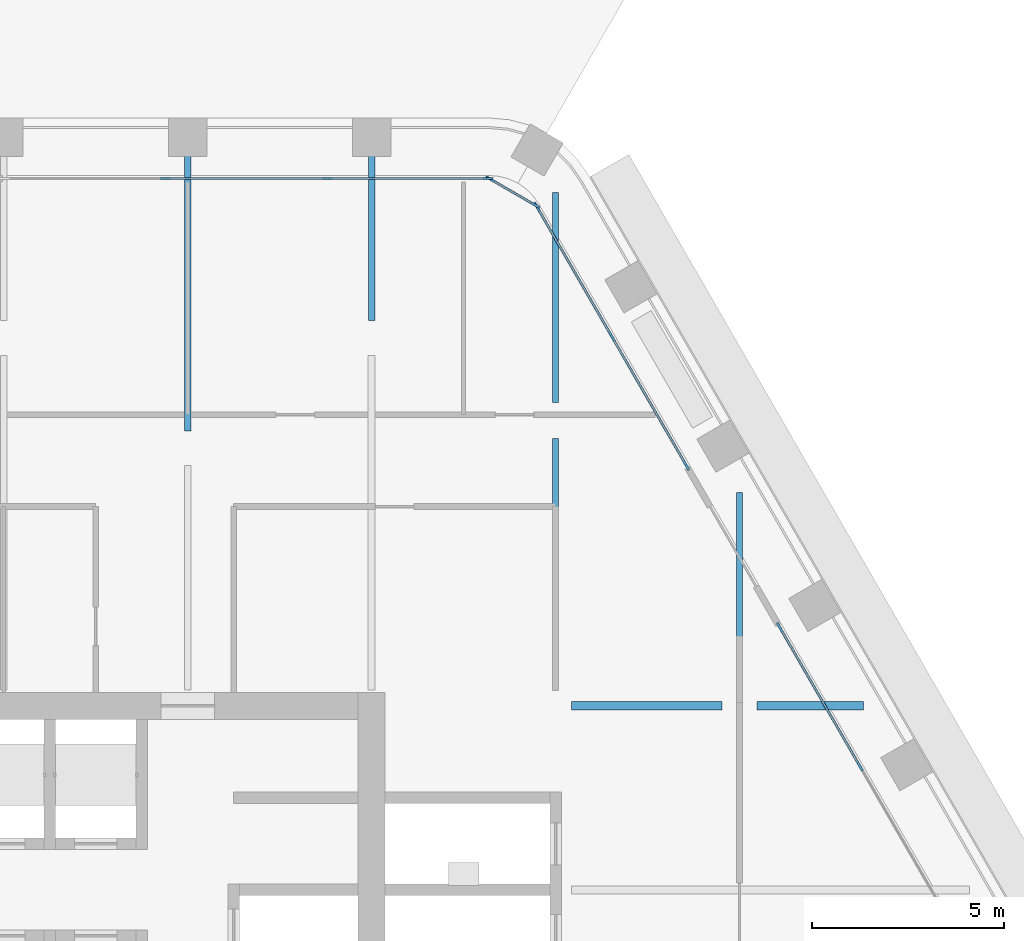
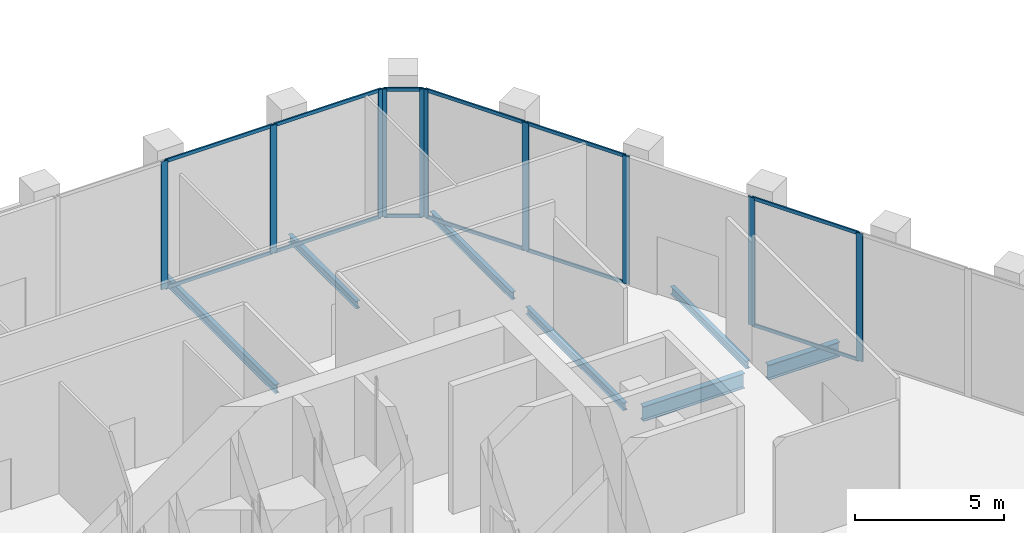
# One storey, part 5 of 42: 22 members, 7 beams, 4 elements without a shape of their own.
"""IFC4 building model written with IfcOpenShell, lengths in metres."""

from ifc_helpers import new_model, si_unit, direction, frame, origin, origin_2d, place, context, subcontext, project, spatial, rectangle, i_section, extrude, material, material_profile, profile_set, type_object, element, aggregate, save


model = new_model("IFC4")

# Units and contexts
model_context = context("Model", 3, precision=1e-05, world=origin(), true_north=direction((0.0, 1.0)))
body_context = subcontext(model_context, "Body", "Model", "MODEL_VIEW")
ifc_project = project(units=[si_unit("LENGTHUNIT", "METRE"), si_unit("AREAUNIT", "SQUARE_METRE"), si_unit("VOLUMEUNIT", "CUBIC_METRE"), si_unit("PLANEANGLEUNIT", "RADIAN"), si_unit("MASSUNIT", "GRAM", prefix="KILO")], contexts=[model_context])

# Site, building, storey
site_placement = place(None, origin())
site = spatial("IfcSite", under=ifc_project, at=site_placement, CompositionType="ELEMENT")
building_placement = place(site_placement, origin())
building = spatial("IfcBuilding", under=site, at=building_placement, Name="Kolab Exchange Tower", CompositionType="ELEMENT")
storey_placement = place(building_placement, frame((0.0, 0.0, 133.39990234375)))
storey = spatial("IfcBuildingStorey", under=building, at=storey_placement, Name="L26", CompositionType="ELEMENT", Elevation=133.39990234375)

# Beams
ifc_material_1 = material(Name="Steel S355", Category="steel")
ifc_material_profile_1 = material_profile(ifc_material_1, i_section(OverallWidth=0.1650390625, OverallDepth=0.31005859375, WebThickness=0.005859375, FlangeThickness=0.009765625, at=origin_2d()), Name="W310X39")
ifc_profile_set_1 = profile_set([ifc_material_profile_1], Name="Steel S355")
beam_type_1 = type_object("IfcBeamType", Name="FLOOR BEAM W310X39", PredefinedType="BEAM", material=ifc_profile_set_1)
beam_1_placement = place(storey_placement, frame((9.60009765625, 19.659912109375, -0.304931640625), z_axis=(0.0, 1.0, 0.0), x_axis=(-1.0, 0.0, 0.0)))
element("IfcBeam", 1, at=beam_1_placement, inside=storey, type_object=beam_type_1, Name="beam/L26/fr/027", PredefinedType="BEAM", context=body_context, shape_type="SweptSolid", body=[
    extrude(i_section(OverallWidth=0.1650390625, OverallDepth=0.31005859375, WebThickness=0.005859375, FlangeThickness=0.009765625, at=origin_2d()), origin(), (0.0, 0.0, 1.0), 4.57080078125),
])
beam_2_placement = place(storey_placement, frame((14.39990234375, 10.010009765625, -0.304931640625), z_axis=(0.0, 1.0, 0.0), x_axis=(-1.0, 0.0, 0.0)))
element("IfcBeam", 2, at=beam_2_placement, inside=storey, type_object=beam_type_1, Name="beam/L26/fr/030", PredefinedType="BEAM", context=body_context, shape_type="SweptSolid", body=[
    extrude(i_section(OverallWidth=0.1650390625, OverallDepth=0.31005859375, WebThickness=0.005859375, FlangeThickness=0.009765625, at=origin_2d()), origin(), (0.0, 0.0, 1.0), 6.563232421875),
])
beam_3_placement = place(storey_placement, frame((14.39990234375, 17.51220703125, -0.304931640625), z_axis=(0.0, 1.0, 0.0), x_axis=(-1.0, 0.0, 0.0)))
element("IfcBeam", 3, at=beam_3_placement, inside=storey, type_object=beam_type_1, Name="beam/L26/fr/031", PredefinedType="BEAM", context=body_context, shape_type="SweptSolid", body=[
    extrude(i_section(OverallWidth=0.1650390625, OverallDepth=0.31005859375, WebThickness=0.005859375, FlangeThickness=0.009765625, at=origin_2d()), origin(), (0.0, 0.0, 1.0), 5.4892578125),
])
beam_4_placement = place(storey_placement, frame((19.199951171875, 10.06005859375, -0.304931640625), z_axis=(0.0, 1.0, 0.0), x_axis=(-1.0, 0.0, 0.0)))
element("IfcBeam", 4, at=beam_4_placement, inside=storey, type_object=beam_type_1, Name="beam/L26/fr/036", PredefinedType="BEAM", context=body_context, shape_type="SweptSolid", body=[
    extrude(i_section(OverallWidth=0.1650390625, OverallDepth=0.31005859375, WebThickness=0.005859375, FlangeThickness=0.009765625, at=origin_2d()), origin(), (0.0, 0.0, 1.0), 5.107666015625),
])
ifc_material_profile_2 = material_profile(ifc_material_1, i_section(OverallWidth=0.1708984375, OverallDepth=0.35498046875, WebThickness=0.007080078125, FlangeThickness=0.01171875, at=origin_2d()), Name="W360X51")
ifc_profile_set_2 = profile_set([ifc_material_profile_2], Name="Steel S355")
beam_type_2 = type_object("IfcBeamType", Name="FLOOR BEAM W360X51", PredefinedType="BEAM", material=ifc_profile_set_2)
beam_5_placement = place(storey_placement, frame((4.800048828125, 16.77880859375, -0.327392578125), z_axis=(0.0, 1.0, 0.0), x_axis=(-1.0, 0.0, 0.0)))
element("IfcBeam", 5, at=beam_5_placement, inside=storey, type_object=beam_type_2, Name="beam/L26/fr/023", PredefinedType="BEAM", context=body_context, shape_type="SweptSolid", body=[
    extrude(i_section(OverallWidth=0.1708984375, OverallDepth=0.35498046875, WebThickness=0.007080078125, FlangeThickness=0.01171875, at=origin_2d()), origin(), (0.0, 0.0, 1.0), 7.45263671875),
])
ifc_material_profile_3 = material_profile(ifc_material_1, i_section(OverallWidth=0.22802734375, OverallDepth=0.60791015625, WebThickness=0.01123046875, FlangeThickness=0.017333984375, at=origin_2d()), Name="W610X113")
ifc_profile_set_3 = profile_set([ifc_material_profile_3], Name="Steel S355")
beam_type_3 = type_object("IfcBeamType", Name="FLOOR GIRDER W610X113", PredefinedType="BEAM", material=ifc_profile_set_3)
beam_6_placement = place(storey_placement, frame((14.81005859375, 9.60009765625, -0.453857421875), z_axis=(1.0, 0.0, 0.0), x_axis=(0.0, 1.0, 0.0)))
element("IfcBeam", 6, at=beam_6_placement, inside=storey, type_object=beam_type_3, Name="beam/L26/gd/005", PredefinedType="BEAM", context=body_context, shape_type="SweptSolid", body=[
    extrude(i_section(OverallWidth=0.22802734375, OverallDepth=0.60791015625, WebThickness=0.01123046875, FlangeThickness=0.017333984375, at=origin_2d()), origin(), (0.0, 0.0, 1.0), 3.929931640625),
])
beam_7_placement = place(storey_placement, frame((19.659912109375, 9.60009765625, -0.453857421875), z_axis=(1.0, 0.0, 0.0), x_axis=(0.0, 1.0, 0.0)))
element("IfcBeam", 7, at=beam_7_placement, inside=storey, type_object=beam_type_3, Name="beam/L26/gd/007", PredefinedType="BEAM", context=body_context, shape_type="SweptSolid", body=[
    extrude(i_section(OverallWidth=0.22802734375, OverallDepth=0.60791015625, WebThickness=0.01123046875, FlangeThickness=0.017333984375, at=origin_2d()), origin(), (0.0, 0.0, 1.0), 2.771484375),
])

# Curtain wall, members
ifc_material_2 = material(Name="Aluminium EN AW-6063 T6", Category="aluminium")
curtain_wall_type = type_object("IfcCurtainWallType", Name="UNITISED UPPER MID ZONE DOUBLE HEIGHT CURTAIN WALL", PredefinedType="NOTDEFINED", material=ifc_material_2)
curtain_wall_1_placement = place(storey_placement, origin())
curtain_wall_1 = element("IfcCurtainWall", 8, at=curtain_wall_1_placement, inside=storey, type_object=curtain_wall_type, Name="cw/L26/F1-2", PredefinedType="NOTDEFINED")
ifc_material_profile_4 = material_profile(ifc_material_2, rectangle(XDim=0.06005859375, YDim=0.260009765625, at=origin_2d()), Name="RECT 60X260")
ifc_profile_set_4 = profile_set([ifc_material_profile_4], Name="Aluminium EN AW-6063 T6")
member_type_1 = type_object("IfcMemberType", Name="UNITISED UPPER MID ZONE DOUBLE HEIGHT MULLION 60 X 260", PredefinedType="MULLION", material=ifc_profile_set_4)
member_1_placement = place(storey_placement, frame((4.22265625, 23.361572265625, 0.0), z_axis=(0.0, 0.0, 1.0), x_axis=(0.0, 1.0, 0.0)))
member_1 = element("IfcMember", 9, at=member_1_placement, type_object=member_type_1, Name="CW8 mullion 2", PredefinedType="MULLION", context=body_context, shape_type="SweptSolid", body=[
    extrude(rectangle(XDim=0.06005859375, YDim=0.260009765625, at=origin_2d()), origin(), (0.0, 0.0, 1.0), 5.25),
])
member_2_placement = place(storey_placement, frame((8.4453125, 23.361572265625, 0.0), z_axis=(0.0, 0.0, 1.0), x_axis=(0.0, 1.0, 0.0)))
member_2 = element("IfcMember", 10, at=member_2_placement, type_object=member_type_1, Name="CW8 mullion 3", PredefinedType="MULLION", context=body_context, shape_type="SweptSolid", body=[
    extrude(rectangle(XDim=0.06005859375, YDim=0.260009765625, at=origin_2d()), origin(), (0.0, 0.0, 1.0), 5.25),
])
member_3_placement = place(storey_placement, frame((12.637939453125, 23.361572265625, 0.0), z_axis=(0.0, 0.0, 1.0), x_axis=(0.0, 1.0, 0.0)))
member_3 = element("IfcMember", 11, at=member_3_placement, type_object=member_type_1, Name="CW8 mullion 4", PredefinedType="MULLION", context=body_context, shape_type="SweptSolid", body=[
    extrude(rectangle(XDim=0.06005859375, YDim=0.260009765625, at=origin_2d()), origin(), (0.0, 0.0, 1.0), 5.25),
])

curtain_wall_2_placement = place(storey_placement, origin())
curtain_wall_2 = element("IfcCurtainWall", 12, at=curtain_wall_2_placement, inside=storey, type_object=curtain_wall_type, Name="cw/L26/F2-1", PredefinedType="NOTDEFINED")
member_4_placement = place(storey_placement, frame((13.91259765625, 22.62548828125, 0.0), z_axis=(0.0, 0.0, 1.0), x_axis=(0.866025385493, 0.500000031681, 0.0)))
member_4 = element("IfcMember", 13, at=member_4_placement, type_object=member_type_1, Name="CW8 mullion 1", PredefinedType="MULLION", context=body_context, shape_type="SweptSolid", body=[
    extrude(rectangle(XDim=0.06005859375, YDim=0.260009765625, at=origin_2d()), origin(), (0.0, 0.0, 1.0), 5.25),
])
member_5_placement = place(storey_placement, frame((15.86474609375, 19.24462890625, 0.0), z_axis=(0.0, 0.0, 1.0), x_axis=(0.866025385493, 0.500000031681, 0.0)))
member_5 = element("IfcMember", 14, at=member_5_placement, type_object=member_type_1, Name="CW8 mullion 2", PredefinedType="MULLION", context=body_context, shape_type="SweptSolid", body=[
    extrude(rectangle(XDim=0.06005859375, YDim=0.260009765625, at=origin_2d()), origin(), (0.0, 0.0, 1.0), 5.25),
])
member_6_placement = place(storey_placement, frame((17.816650390625, 15.86376953125, 0.0), z_axis=(0.0, 0.0, 1.0), x_axis=(0.866025385493, 0.500000031681, 0.0)))
member_6 = element("IfcMember", 15, at=member_6_placement, type_object=member_type_1, Name="CW8 mullion 3", PredefinedType="MULLION", context=body_context, shape_type="SweptSolid", body=[
    extrude(rectangle(XDim=0.06005859375, YDim=0.260009765625, at=origin_2d()), origin(), (0.0, 0.0, 1.0), 5.25),
])

curtain_wall_3_placement = place(storey_placement, origin())
curtain_wall_3 = element("IfcCurtainWall", 16, at=curtain_wall_3_placement, inside=storey, type_object=curtain_wall_type, Name="cw/L26/F2-2", PredefinedType="NOTDEFINED")
member_7_placement = place(storey_placement, frame((20.24658203125, 11.65478515625, 0.0), z_axis=(0.0, 0.0, 1.0), x_axis=(0.866025427826, 0.499999958358, 0.0)))
member_7 = element("IfcMember", 17, at=member_7_placement, type_object=member_type_1, Name="CW8 mullion 1", PredefinedType="MULLION", context=body_context, shape_type="SweptSolid", body=[
    extrude(rectangle(XDim=0.06005859375, YDim=0.260009765625, at=origin_2d()), origin(), (0.0, 0.0, 1.0), 5.25),
])
member_8_placement = place(storey_placement, frame((22.343017578125, 8.02392578125, 0.0), z_axis=(0.0, 0.0, 1.0), x_axis=(0.866025427826, 0.499999958358, 0.0)))
member_8 = element("IfcMember", 18, at=member_8_placement, type_object=member_type_1, Name="CW8 mullion 2", PredefinedType="MULLION", context=body_context, shape_type="SweptSolid", body=[
    extrude(rectangle(XDim=0.06005859375, YDim=0.260009765625, at=origin_2d()), origin(), (0.0, 0.0, 1.0), 5.25),
])

curtain_wall_4_placement = place(storey_placement, origin())
curtain_wall_4 = element("IfcCurtainWall", 19, at=curtain_wall_4_placement, inside=storey, type_object=curtain_wall_type, Name="cw/L26/F1F2-corner", PredefinedType="NOTDEFINED")
member_9_placement = place(storey_placement, frame((12.69384765625, 23.346435546875, 0.0), z_axis=(0.0, 0.0, 1.0), x_axis=(0.50000002237, 0.866025390869, 0.0)))
member_9 = element("IfcMember", 20, at=member_9_placement, type_object=member_type_1, Name="CW8 mullion 1", PredefinedType="MULLION", context=body_context, shape_type="SweptSolid", body=[
    extrude(rectangle(XDim=0.06005859375, YDim=0.260009765625, at=origin_2d()), origin(), (0.0, 0.0, 1.0), 5.25),
])
member_10_placement = place(storey_placement, frame((13.871826171875, 22.66650390625, 0.0), z_axis=(0.0, 0.0, 1.0), x_axis=(0.50000002237, 0.866025390869, 0.0)))
member_10 = element("IfcMember", 21, at=member_10_placement, type_object=member_type_1, Name="CW8 mullion 2", PredefinedType="MULLION", context=body_context, shape_type="SweptSolid", body=[
    extrude(rectangle(XDim=0.06005859375, YDim=0.260009765625, at=origin_2d()), origin(), (0.0, 0.0, 1.0), 5.25),
])

# Member
ifc_material_profile_5 = material_profile(ifc_material_2, rectangle(XDim=0.06005859375, YDim=0.139892578125, at=origin_2d()), Name="RECT 60X140")
ifc_profile_set_5 = profile_set([ifc_material_profile_5], Name="Aluminium EN AW-6063 T6")
member_type_2 = type_object("IfcMemberType", Name="UNITISED UPPER MID ZONE DOUBLE HEIGHT TRANSOM 60 X 140", PredefinedType="USERDEFINED", material=ifc_profile_set_5)
member_11_placement = place(storey_placement, frame((4.252685546875, 23.361572265625, 0.030029296875), z_axis=(1.0, 0.0, 0.0), x_axis=(0.0, 1.0, 0.0)))
member_11 = element("IfcMember", 22, at=member_11_placement, type_object=member_type_2, Name="CW8 transom 2.1", ObjectType="TRANSOM", PredefinedType="USERDEFINED", context=body_context, shape_type="SweptSolid", body=[
    extrude(rectangle(XDim=0.06005859375, YDim=0.139892578125, at=origin_2d()), origin(), (0.0, 0.0, 1.0), 4.16259765625),
])

member_12_placement = place(storey_placement, frame((4.252685546875, 23.361572265625, 5.22021484375), z_axis=(1.0, 0.0, 0.0), x_axis=(0.0, 1.0, 0.0)))
member_12 = element("IfcMember", 23, at=member_12_placement, type_object=member_type_2, Name="CW8 transom 2.2", ObjectType="TRANSOM", PredefinedType="USERDEFINED", context=body_context, shape_type="SweptSolid", body=[
    extrude(rectangle(XDim=0.06005859375, YDim=0.139892578125, at=origin_2d()), origin(), (0.0, 0.0, 1.0), 4.16259765625),
])

member_13_placement = place(storey_placement, frame((8.475341796875, 23.361572265625, 0.030029296875), z_axis=(1.0, 0.0, 0.0), x_axis=(0.0, 1.0, 0.0)))
member_13 = element("IfcMember", 24, at=member_13_placement, type_object=member_type_2, Name="CW8 transom 3.1", ObjectType="TRANSOM", PredefinedType="USERDEFINED", context=body_context, shape_type="SweptSolid", body=[
    extrude(rectangle(XDim=0.06005859375, YDim=0.139892578125, at=origin_2d()), origin(), (0.0, 0.0, 1.0), 4.132568359375),
])

member_14_placement = place(storey_placement, frame((8.475341796875, 23.361572265625, 5.22021484375), z_axis=(1.0, 0.0, 0.0), x_axis=(0.0, 1.0, 0.0)))
member_14 = element("IfcMember", 25, at=member_14_placement, type_object=member_type_2, Name="CW8 transom 3.2", ObjectType="TRANSOM", PredefinedType="USERDEFINED", context=body_context, shape_type="SweptSolid", body=[
    extrude(rectangle(XDim=0.06005859375, YDim=0.139892578125, at=origin_2d()), origin(), (0.0, 0.0, 1.0), 4.132568359375),
])

aggregate(curtain_wall_1, [member_1, member_2, member_3, member_11, member_12, member_13, member_14])

member_15_placement = place(storey_placement, frame((13.927734375, 22.599609375, 0.030029296875), z_axis=(0.499964356602, -0.866045981532, 0.0), x_axis=(0.866045981532, 0.499964356602, 0.0)))
member_15 = element("IfcMember", 26, at=member_15_placement, type_object=member_type_2, Name="CW8 transom 1.1", ObjectType="TRANSOM", PredefinedType="USERDEFINED", context=body_context, shape_type="SweptSolid", body=[
    extrude(rectangle(XDim=0.06005859375, YDim=0.139892578125, at=origin_2d()), origin(), (0.0, 0.0, 1.0), 3.843994140625),
])

member_16_placement = place(storey_placement, frame((13.927734375, 22.599609375, 5.22021484375), z_axis=(0.499964356602, -0.866045981532, 0.0), x_axis=(0.866045981532, 0.499964356602, 0.0)))
member_16 = element("IfcMember", 27, at=member_16_placement, type_object=member_type_2, Name="CW8 transom 1.2", ObjectType="TRANSOM", PredefinedType="USERDEFINED", context=body_context, shape_type="SweptSolid", body=[
    extrude(rectangle(XDim=0.06005859375, YDim=0.139892578125, at=origin_2d()), origin(), (0.0, 0.0, 1.0), 3.843994140625),
])

member_17_placement = place(storey_placement, frame((15.879638671875, 19.21875, 0.030029296875), z_axis=(0.500011990396, -0.866018481016, 0.0), x_axis=(0.866018481016, 0.500011990396, 0.0)))
member_17 = element("IfcMember", 28, at=member_17_placement, type_object=member_type_2, Name="CW8 transom 2.1", ObjectType="TRANSOM", PredefinedType="USERDEFINED", context=body_context, shape_type="SweptSolid", body=[
    extrude(rectangle(XDim=0.06005859375, YDim=0.139892578125, at=origin_2d()), origin(), (0.0, 0.0, 1.0), 3.84423828125),
])

member_18_placement = place(storey_placement, frame((15.879638671875, 19.21875, 5.22021484375), z_axis=(0.500011990396, -0.866018481016, 0.0), x_axis=(0.866018481016, 0.500011990396, 0.0)))
member_18 = element("IfcMember", 29, at=member_18_placement, type_object=member_type_2, Name="CW8 transom 2.2", ObjectType="TRANSOM", PredefinedType="USERDEFINED", context=body_context, shape_type="SweptSolid", body=[
    extrude(rectangle(XDim=0.06005859375, YDim=0.139892578125, at=origin_2d()), origin(), (0.0, 0.0, 1.0), 3.84423828125),
])

aggregate(curtain_wall_2, [member_4, member_5, member_6, member_15, member_16, member_17, member_18])

member_19_placement = place(storey_placement, frame((20.26171875, 11.62890625, 0.030029296875), z_axis=(0.500001996123, -0.866024251319, 0.0), x_axis=(0.866024251319, 0.500001996123, 0.0)))
member_19 = element("IfcMember", 30, at=member_19_placement, type_object=member_type_2, Name="CW8 transom 1.1", ObjectType="TRANSOM", PredefinedType="USERDEFINED", context=body_context, shape_type="SweptSolid", body=[
    extrude(rectangle(XDim=0.06005859375, YDim=0.139892578125, at=origin_2d()), origin(), (0.0, 0.0, 1.0), 4.1328125),
])

member_20_placement = place(storey_placement, frame((20.26171875, 11.62890625, 5.22021484375), z_axis=(0.500001996123, -0.866024251319, 0.0), x_axis=(0.866024251319, 0.500001996123, 0.0)))
member_20 = element("IfcMember", 31, at=member_20_placement, type_object=member_type_2, Name="CW8 transom 1.2", ObjectType="TRANSOM", PredefinedType="USERDEFINED", context=body_context, shape_type="SweptSolid", body=[
    extrude(rectangle(XDim=0.06005859375, YDim=0.139892578125, at=origin_2d()), origin(), (0.0, 0.0, 1.0), 4.1328125),
])

aggregate(curtain_wall_3, [member_7, member_8, member_19, member_20])

member_21_placement = place(storey_placement, frame((12.719970703125, 23.33154296875, 0.030029296875), z_axis=(0.86603858612, -0.49997716683, 0.0), x_axis=(0.49997716683, 0.86603858612, 0.0)))
member_21 = element("IfcMember", 32, at=member_21_placement, type_object=member_type_2, Name="CW8 transom 1.1", ObjectType="TRANSOM", PredefinedType="USERDEFINED", context=body_context, shape_type="SweptSolid", body=[
    extrude(rectangle(XDim=0.06005859375, YDim=0.139892578125, at=origin_2d()), origin(), (0.0, 0.0, 1.0), 1.2998046875),
])

member_22_placement = place(storey_placement, frame((12.719970703125, 23.33154296875, 5.22021484375), z_axis=(0.86603858612, -0.49997716683, 0.0), x_axis=(0.49997716683, 0.86603858612, 0.0)))
member_22 = element("IfcMember", 33, at=member_22_placement, type_object=member_type_2, Name="CW8 transom 1.2", ObjectType="TRANSOM", PredefinedType="USERDEFINED", context=body_context, shape_type="SweptSolid", body=[
    extrude(rectangle(XDim=0.06005859375, YDim=0.139892578125, at=origin_2d()), origin(), (0.0, 0.0, 1.0), 1.2998046875),
])

aggregate(curtain_wall_4, [member_9, member_10, member_21, member_22])

save(model, "model.ifc")
